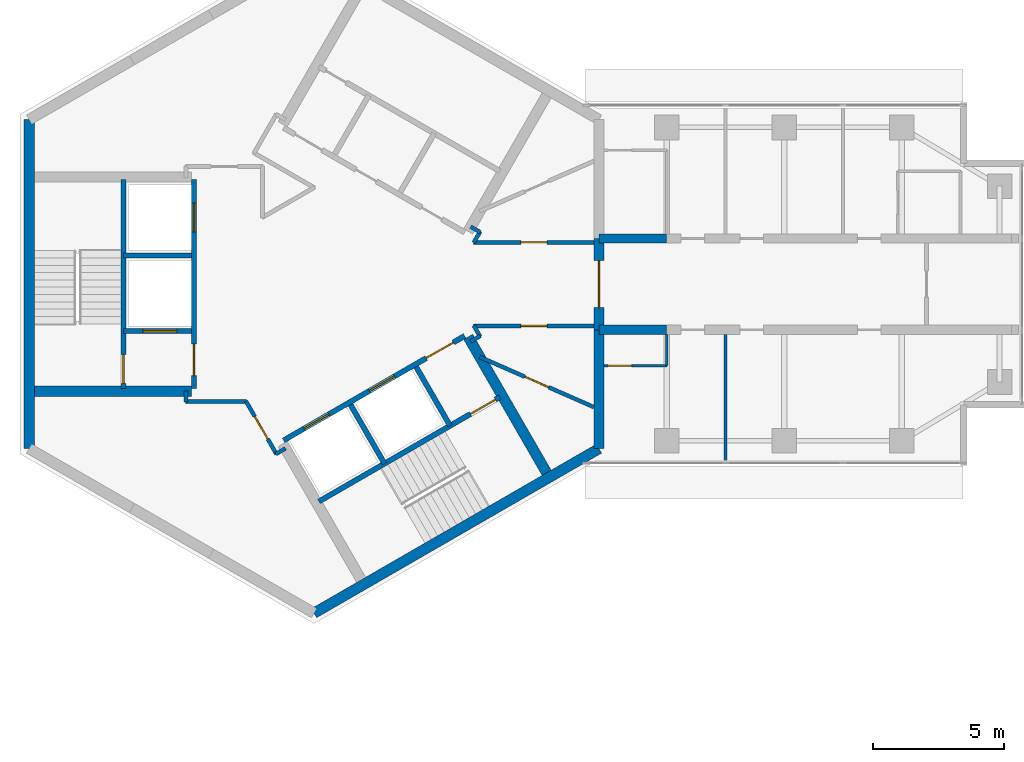
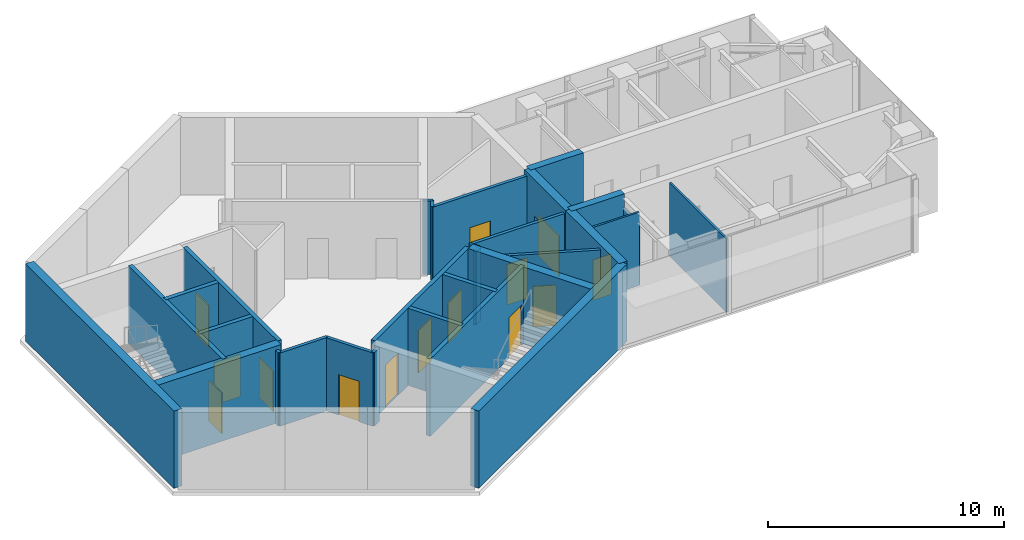
# One storey, part 5 of 11: 30 walls, 14 doors, 14 openings.
"""IFC4 building model written with IfcOpenShell, lengths in metres."""

from ifc_helpers import new_model, si_unit, direction, frame, frame_2d, origin, place, context, subcontext, project, spatial, rectangle, extrude, material, layer, layer_set, type_object, element, fill, save


model = new_model("IFC4")

# Units and contexts
model_context = context("Model", 3, precision=1e-05, world=origin(), true_north=direction((0.0, 1.0)))
body_context = subcontext(model_context, "Body", "Model", "MODEL_VIEW")
ifc_project = project(units=[si_unit("LENGTHUNIT", "METRE"), si_unit("AREAUNIT", "SQUARE_METRE"), si_unit("VOLUMEUNIT", "CUBIC_METRE"), si_unit("PLANEANGLEUNIT", "RADIAN"), si_unit("MASSUNIT", "GRAM", prefix="KILO")], contexts=[model_context])

# Site, building, storey
site_placement = place(None, origin())
site = spatial("IfcSite", under=ifc_project, at=site_placement, CompositionType="ELEMENT")
building_placement = place(site_placement, origin())
building = spatial("IfcBuilding", under=site, at=building_placement, Name="Upepo Twin Towers", CompositionType="ELEMENT")
storey_placement = place(building_placement, frame((0.0, 0.0, 275.5)))
storey = spatial("IfcBuildingStorey", under=building, at=storey_placement, Name="L67", CompositionType="ELEMENT", Elevation=275.5)

# Walls
ifc_material_1 = material(Name="Concrete C60/75", Category="concrete")
ifc_layer_1 = layer(ifc_material_1, 0.35009765625)
ifc_layer_set_1 = layer_set([ifc_layer_1], Name="Concrete C60/75")
wall_type_1 = type_object("IfcWallType", Name="Buttress wall 350 RC", PredefinedType="SHEAR", material=ifc_layer_set_1)
for number, where, z_axis, x_axis, name in (
    (1, (10.908447265625, 1.75, 0.0), (0.0, 0.0, 1.0), (1.0, 0.0, 0.0), "T1 wing A buttress wall L"),
    (2, (10.908447265625, -1.75, 0.0), (0.0, 0.0, 1.0), (1.0, 0.0, 0.0), "T1 wing A buttress wall R"),
):
    element("IfcWall", number, at=place(storey_placement, frame(where, z_axis=z_axis, x_axis=x_axis)), inside=storey, type_object=wall_type_1, Name=name, PredefinedType="SHEAR", context=body_context, shape_type="SweptSolid", body=[
        extrude(rectangle(XDim=2.591552734375, YDim=0.35009765625, at=frame_2d((1.2958984375, 0.0))), origin(), (0.0, 0.0, 1.0), 4.0),
    ])
ifc_material_2 = material(Name="Concrete C60/75", Category="concrete")
ifc_layer_2 = layer(ifc_material_2, 0.39990234375)
ifc_layer_set_2 = layer_set([ifc_layer_2], Name="Concrete C60/75")
wall_type_2 = type_object("IfcWallType", Name="Core wall 400 RC", PredefinedType="SHEAR", material=ifc_layer_set_2)
wall_1_placement = place(storey_placement, frame((10.908447265625, -6.2978515625, 0.0), z_axis=(0.0, 0.0, 1.0), x_axis=(0.0, 1.0, 0.0)))
element("IfcWall", 3, at=wall_1_placement, inside=storey, type_object=wall_type_2, Name="T1 core wall 000 R", PredefinedType="SHEAR", context=body_context, shape_type="SweptSolid", body=[
    extrude(rectangle(XDim=4.5478515625, YDim=0.39990234375, at=frame_2d((2.27392578125, 0.0))), origin(), (0.0, 0.0, 1.0), 4.0),
])

# Wall, opening, door
wall_2_placement = place(storey_placement, frame((10.908447265625, -1.75, 0.0), z_axis=(0.0, 0.0, 1.0), x_axis=(0.0, 1.0, 0.0)))
wall_2 = element("IfcWall", 4, at=wall_2_placement, inside=storey, type_object=wall_type_2, Name="T1 core wall 000", PredefinedType="SHEAR", context=body_context, shape_type="SweptSolid", body=[
    extrude(rectangle(XDim=3.5, YDim=0.39990234375, at=frame_2d((1.75, 0.0))), origin(), (0.0, 0.0, 1.0), 4.0),
])
opening_1_placement = place(wall_2_placement, frame((0.85009765625, 0.0, 0.0)))
opening_1 = element("IfcOpeningElement", 5, at=opening_1_placement, cuts=wall_2, Name="Opening D2", PredefinedType="OPENING", context=body_context, shape_type="SweptSolid", body=[
    extrude(rectangle(XDim=1.800048828125, YDim=2.10009765625, at=frame_2d((0.89990234375, 1.050048828125))), frame((0.0, 0.2099609375, 0.0), z_axis=(0.0, -1.0, 0.0), x_axis=(1.0, 0.0, 0.0)), (0.0, 0.0, 1.0), 0.419921875),
])
ifc_material_3 = material(Name="Timber doorset", Category="wood")
door_type_1 = type_object("IfcDoorType", Name="Corridor double door 1800 FD60", OperationType="DOUBLE_DOOR_DOUBLE_SWING", PredefinedType="DOOR", material=ifc_material_3)
door_1_placement = place(opening_1_placement, origin())
door_1 = element("IfcDoor", 6, at=door_1_placement, inside=storey, type_object=door_type_1, Name="T1 L67 wing A corridor door", OperationType="DOUBLE_DOOR_DOUBLE_SWING", OverallHeight=2.10009765625, OverallWidth=1.800048828125, PredefinedType="DOOR", context=body_context, shape_type="SweptSolid", body=[
    extrude(rectangle(XDim=1.800048828125, YDim=2.10009765625, at=frame_2d((0.89990234375, 1.050048828125))), frame((0.0, 0.02490234375, 0.0), z_axis=(0.0, -1.0, 0.0), x_axis=(1.0, 0.0, 0.0)), (0.0, 0.0, 1.0), 0.050048828125),
])
fill(opening_1, door_1)

# Walls
wall_3_placement = place(storey_placement, frame((-10.908447265625, 6.2978515625, 0.0), z_axis=(0.0, 0.0, 1.0), x_axis=(0.0, -1.0, 0.0)))
element("IfcWall", 7, at=wall_3_placement, inside=storey, type_object=wall_type_2, Name="T1 core wall 180", PredefinedType="SHEAR", context=body_context, shape_type="SweptSolid", body=[
    extrude(rectangle(XDim=12.595703125, YDim=0.39990234375, at=frame_2d((6.2978515625, 0.0))), origin(), (0.0, 0.0, 1.0), 4.0),
])
wall_4_placement = place(storey_placement, frame((0.0, -12.595947265625, 0.0), z_axis=(0.0, 0.0, 1.0), x_axis=(0.866021940709, 0.500005998175, 0.0)))
element("IfcWall", 8, at=wall_4_placement, inside=storey, type_object=wall_type_2, Name="T1 core wall 300", PredefinedType="SHEAR", context=body_context, shape_type="SweptSolid", body=[
    extrude(rectangle(XDim=12.595947265625, YDim=0.39990234375, at=frame_2d((6.2978515625, 0.0))), origin(), (0.0, 0.0, 1.0), 4.0),
])
ifc_material_4 = material(Name="Gypsum board on steel studs", Category="steel")
ifc_layer_3 = layer(ifc_material_4, 0.10009765625)
ifc_layer_set_3 = layer_set([ifc_layer_3], Name="Office partition 100 stud")
wall_type_3 = type_object("IfcWallType", Name="Office partition 100 stud", PredefinedType="PARTITIONING", material=ifc_layer_set_3)
wall_5_placement = place(storey_placement, frame((15.75, -1.925048828125, 0.0), z_axis=(0.0, 0.0, 1.0), x_axis=(0.0, -1.0, 0.0)))
element("IfcWall", 9, at=wall_5_placement, inside=storey, type_object=wall_type_3, Name="T1 partition AR at 15.75", PredefinedType="PARTITIONING", context=body_context, shape_type="SweptSolid", body=[
    extrude(rectangle(XDim=4.824951171875, YDim=0.10009765625, at=frame_2d((2.41259765625, 0.0))), origin(), (0.0, 0.0, 1.0), 3.800048828125),
])

# Wall, opening, door
wall_6_placement = place(storey_placement, frame((11.10791015625, -3.125, 0.0), z_axis=(0.0, 0.0, 1.0), x_axis=(1.0, 0.0, 0.0)))
wall_6 = element("IfcWall", 10, at=wall_6_placement, inside=storey, type_object=wall_type_3, Name="T1 WC bay partition AR at 11.11", PredefinedType="PARTITIONING", context=body_context, shape_type="SweptSolid", body=[
    extrude(rectangle(XDim=2.400146484375, YDim=0.10009765625, at=frame_2d((1.2001953125, 0.0))), origin(), (0.0, 0.0, 1.0), 3.800048828125),
])
opening_2_placement = place(wall_6_placement, frame((0.14990234375, 0.0, 0.0)))
opening_2 = element("IfcOpeningElement", 11, at=opening_2_placement, cuts=wall_6, Name="Opening D14", PredefinedType="OPENING", context=body_context, shape_type="SweptSolid", body=[
    extrude(rectangle(XDim=0.89990234375, YDim=2.10009765625, at=frame_2d((0.449951171875, 1.050048828125))), frame((0.0, 0.06005859375, 0.0), z_axis=(0.0, -1.0, 0.0), x_axis=(1.0, 0.0, 0.0)), (0.0, 0.0, 1.0), 0.1201171875),
])
ifc_material_5 = material(Name="Timber doorset", Category="wood")
door_type_2 = type_object("IfcDoorType", Name="Office door 900 FD30", OperationType="SINGLE_SWING_LEFT", PredefinedType="DOOR", material=ifc_material_5)
door_2_placement = place(opening_2_placement, origin())
door_2 = element("IfcDoor", 12, at=door_2_placement, inside=storey, type_object=door_type_2, Name="T1 L67 WC bay inner room door", OperationType="SINGLE_SWING_LEFT", OverallHeight=2.10009765625, OverallWidth=0.89990234375, PredefinedType="DOOR", context=body_context, shape_type="SweptSolid", body=[
    extrude(rectangle(XDim=0.89990234375, YDim=2.10009765625, at=frame_2d((0.449951171875, 1.050048828125))), frame((0.0, 0.02490234375, 0.0), z_axis=(0.0, -1.0, 0.0), x_axis=(1.0, 0.0, 0.0)), (0.0, 0.0, 1.0), 0.050048828125),
])
fill(opening_2, door_2)

# Wall
wall_7_placement = place(storey_placement, frame((13.508056640625, -1.925048828125, 0.0), z_axis=(0.0, 0.0, 1.0), x_axis=(0.0, -1.0, 0.0)))
element("IfcWall", 13, at=wall_7_placement, inside=storey, type_object=wall_type_3, Name="T1 WC bay partition AR end at 13.51", PredefinedType="PARTITIONING", context=body_context, shape_type="SweptSolid", body=[
    extrude(rectangle(XDim=1.199951171875, YDim=0.10009765625, at=frame_2d((0.60009765625, 0.0))), origin(), (0.0, 0.0, 1.0), 3.266845703125),
])

# Wall, openings, doors
ifc_material_6 = material(Name="Concrete C40/50", Category="concrete")
ifc_layer_4 = layer(ifc_material_6, 0.199951171875)
ifc_layer_set_4 = layer_set([ifc_layer_4], Name="Concrete C40/50")
wall_type_4 = type_object("IfcWallType", Name="Shaft wall 200 RC", PredefinedType="SHEAR", material=ifc_layer_set_4)
wall_8_placement = place(storey_placement, frame((-4.60009765625, 4.0, 0.0), z_axis=(0.0, 0.0, 1.0), x_axis=(0.0, -1.0, 0.0)))
wall_8 = element("IfcWall", 14, at=wall_8_placement, inside=storey, type_object=wall_type_4, Name="T1 core W180 front wall", PredefinedType="SHEAR", context=body_context, shape_type="SweptSolid", body=[
    extrude(rectangle(XDim=8.0, YDim=0.199951171875, at=frame_2d((4.0, 0.0))), origin(), (0.0, 0.0, 1.0), 4.0),
])
opening_3_placement = place(wall_8_placement, frame((6.300048828125, 0.0, 0.0)))
opening_3 = element("IfcOpeningElement", 15, at=opening_3_placement, cuts=wall_8, Name="Opening D4", PredefinedType="OPENING", context=body_context, shape_type="SweptSolid", body=[
    extrude(rectangle(XDim=1.199951171875, YDim=2.10009765625, at=frame_2d((0.60009765625, 1.050048828125))), frame((0.0, 0.10986328125, 0.0), z_axis=(0.0, -1.0, 0.0), x_axis=(1.0, 0.0, 0.0)), (0.0, 0.0, 1.0), 0.219970703125),
])
opening_4_placement = place(wall_8_placement, frame((0.89990234375, 0.0, 0.0)))
opening_4 = element("IfcOpeningElement", 16, at=opening_4_placement, cuts=wall_8, Name="Opening LD1", PredefinedType="OPENING", context=body_context, shape_type="SweptSolid", body=[
    extrude(rectangle(XDim=1.10009765625, YDim=2.199951171875, at=frame_2d((0.550048828125, 1.10009765625))), frame((0.0, 0.10986328125, 0.0), z_axis=(0.0, -1.0, 0.0), x_axis=(1.0, 0.0, 0.0)), (0.0, 0.0, 1.0), 0.219970703125),
])
ifc_material_7 = material(Name="Steel doorset", Category="steel")
door_type_3 = type_object("IfcDoorType", Name="Lift landing door 1100", OperationType="DOUBLE_DOOR_SLIDING", PredefinedType="DOOR", material=ifc_material_7)
door_3_placement = place(opening_4_placement, origin())
door_3 = element("IfcDoor", 17, at=door_3_placement, inside=storey, type_object=door_type_3, Name="T1 L67 lift SV1 landing door", OperationType="DOUBLE_DOOR_SLIDING", OverallHeight=2.199951171875, OverallWidth=1.10009765625, PredefinedType="DOOR", context=body_context, shape_type="SweptSolid", body=[
    extrude(rectangle(XDim=1.10009765625, YDim=2.199951171875, at=frame_2d((0.550048828125, 1.10009765625))), frame((0.0, 0.02490234375, 0.0), z_axis=(0.0, -1.0, 0.0), x_axis=(1.0, 0.0, 0.0)), (0.0, 0.0, 1.0), 0.050048828125),
])
fill(opening_4, door_3)
ifc_material_8 = material(Name="Timber doorset", Category="wood")
door_type_4 = type_object("IfcDoorType", Name="Lobby door 1200 FD60", OperationType="SINGLE_SWING_LEFT", PredefinedType="DOOR", material=ifc_material_8)
door_4_placement = place(opening_3_placement, origin())
door_4 = element("IfcDoor", 18, at=door_4_placement, inside=storey, type_object=door_type_4, Name="T1 L67 W180 lobby door", OperationType="SINGLE_SWING_RIGHT", OverallHeight=2.10009765625, OverallWidth=1.199951171875, PredefinedType="DOOR", context=body_context, shape_type="SweptSolid", body=[
    extrude(rectangle(XDim=1.199951171875, YDim=2.10009765625, at=frame_2d((0.60009765625, 1.050048828125))), frame((0.0, 0.02490234375, 0.0), z_axis=(0.0, -1.0, 0.0), x_axis=(1.0, 0.0, 0.0)), (0.0, 0.0, 1.0), 0.050048828125),
])
fill(opening_3, door_4)

# Wall
wall_9_placement = place(storey_placement, frame((-4.699951171875, 1.10009765625, 0.0), z_axis=(0.0, 0.0, 1.0), x_axis=(-1.0, 0.0, 0.0)))
element("IfcWall", 19, at=wall_9_placement, inside=storey, type_object=wall_type_4, Name="T1 core W180 shaft divider", PredefinedType="SHEAR", context=body_context, shape_type="SweptSolid", body=[
    extrude(rectangle(XDim=2.60009765625, YDim=0.199951171875, at=frame_2d((1.300048828125, 0.0))), origin(), (0.0, 0.0, 1.0), 4.0),
])

# Wall, opening, door
wall_10_placement = place(storey_placement, frame((-4.699951171875, -1.800048828125, 0.0), z_axis=(0.0, 0.0, 1.0), x_axis=(-1.0, 0.0, 0.0)))
wall_10 = element("IfcWall", 20, at=wall_10_placement, inside=storey, type_object=wall_type_4, Name="T1 core W180 lobby wall", PredefinedType="SHEAR", context=body_context, shape_type="SweptSolid", body=[
    extrude(rectangle(XDim=2.60009765625, YDim=0.199951171875, at=frame_2d((1.300048828125, 0.0))), origin(), (0.0, 0.0, 1.0), 4.0),
])
opening_5_placement = place(wall_10_placement, frame((0.550048828125, 0.0, 0.0)))
opening_5 = element("IfcOpeningElement", 21, at=opening_5_placement, cuts=wall_10, Name="Opening LD2", PredefinedType="OPENING", context=body_context, shape_type="SweptSolid", body=[
    extrude(rectangle(XDim=1.300048828125, YDim=2.199951171875, at=frame_2d((0.64990234375, 1.10009765625))), frame((0.0, 0.10986328125, 0.0), z_axis=(0.0, -1.0, 0.0), x_axis=(1.0, 0.0, 0.0)), (0.0, 0.0, 1.0), 0.219970703125),
])
ifc_material_9 = material(Name="Steel doorset", Category="steel")
door_type_5 = type_object("IfcDoorType", Name="Firefighting lift landing door 1300", OperationType="DOUBLE_DOOR_SLIDING", PredefinedType="DOOR", material=ifc_material_9)
door_5_placement = place(opening_5_placement, origin())
door_5 = element("IfcDoor", 22, at=door_5_placement, inside=storey, type_object=door_type_5, Name="T1 L67 firefighting lift landing door", OperationType="DOUBLE_DOOR_SLIDING", OverallHeight=2.199951171875, OverallWidth=1.300048828125, PredefinedType="DOOR", context=body_context, shape_type="SweptSolid", body=[
    extrude(rectangle(XDim=1.300048828125, YDim=2.199951171875, at=frame_2d((0.64990234375, 1.10009765625))), frame((0.0, 0.02490234375, 0.0), z_axis=(0.0, -1.0, 0.0), x_axis=(1.0, 0.0, 0.0)), (0.0, 0.0, 1.0), 0.050048828125),
])
fill(opening_5, door_5)

wall_11_placement = place(storey_placement, frame((-7.300048828125, 4.0, 0.0), z_axis=(0.0, 0.0, 1.0), x_axis=(0.0, -1.0, 0.0)))
wall_11 = element("IfcWall", 23, at=wall_11_placement, inside=storey, type_object=wall_type_4, Name="T1 core W180 stair wall", PredefinedType="SHEAR", context=body_context, shape_type="SweptSolid", body=[
    extrude(rectangle(XDim=8.0, YDim=0.199951171875, at=frame_2d((4.0, 0.0))), origin(), (0.0, 0.0, 1.0), 4.0),
])
opening_6_placement = place(wall_11_placement, frame((6.699951171875, 0.0, 0.0)))
opening_6 = element("IfcOpeningElement", 24, at=opening_6_placement, cuts=wall_11, Name="Opening D3", PredefinedType="OPENING", context=body_context, shape_type="SweptSolid", body=[
    extrude(rectangle(XDim=1.10009765625, YDim=2.10009765625, at=frame_2d((0.550048828125, 1.050048828125))), frame((0.0, 0.10986328125, 0.0), z_axis=(0.0, -1.0, 0.0), x_axis=(1.0, 0.0, 0.0)), (0.0, 0.0, 1.0), 0.219970703125),
])
ifc_material_10 = material(Name="Timber doorset", Category="wood")
door_type_6 = type_object("IfcDoorType", Name="Stair door 1100 FD60", OperationType="SINGLE_SWING_LEFT", PredefinedType="DOOR", material=ifc_material_10)
door_6_placement = place(opening_6_placement, origin())
door_6 = element("IfcDoor", 25, at=door_6_placement, inside=storey, type_object=door_type_6, Name="T1 L67 stair door", OperationType="SINGLE_SWING_RIGHT", OverallHeight=2.10009765625, OverallWidth=1.10009765625, PredefinedType="DOOR", context=body_context, shape_type="SweptSolid", body=[
    extrude(rectangle(XDim=1.10009765625, YDim=2.10009765625, at=frame_2d((0.550048828125, 1.050048828125))), frame((0.0, 0.02490234375, 0.0), z_axis=(0.0, -1.0, 0.0), x_axis=(1.0, 0.0, 0.0)), (0.0, 0.0, 1.0), 0.050048828125),
])
fill(opening_6, door_6)

# Wall, openings, doors
wall_12_placement = place(storey_placement, frame((-1.1640625, -5.983642578125, 0.0), z_axis=(0.0, 0.0, 1.0), x_axis=(0.866026010844, 0.49999894854, 0.0)))
wall_12 = element("IfcWall", 26, at=wall_12_placement, inside=storey, type_object=wall_type_4, Name="T1 core W300 front wall", PredefinedType="SHEAR", context=body_context, shape_type="SweptSolid", body=[
    extrude(rectangle(XDim=8.0, YDim=0.199951171875, at=frame_2d((4.0, 0.0))), origin(), (0.0, 0.0, 1.0), 4.0),
])
opening_7_placement = place(wall_12_placement, frame((6.300048828125, 0.0, 0.0)))
opening_7 = element("IfcOpeningElement", 27, at=opening_7_placement, cuts=wall_12, Name="Opening D4", PredefinedType="OPENING", context=body_context, shape_type="SweptSolid", body=[
    extrude(rectangle(XDim=1.199951171875, YDim=2.10009765625, at=frame_2d((0.60009765625, 1.050048828125))), frame((0.0, 0.10986328125, 0.0), z_axis=(0.0, -1.0, 0.0), x_axis=(1.0, 0.0, 0.0)), (0.0, 0.0, 1.0), 0.219970703125),
])
opening_8_placement = place(wall_12_placement, frame((0.89990234375, 0.0, 0.0)))
opening_8 = element("IfcOpeningElement", 28, at=opening_8_placement, cuts=wall_12, Name="Opening LD1", PredefinedType="OPENING", context=body_context, shape_type="SweptSolid", body=[
    extrude(rectangle(XDim=1.10009765625, YDim=2.199951171875, at=frame_2d((0.550048828125, 1.10009765625))), frame((0.0, 0.10986328125, 0.0), z_axis=(0.0, -1.0, 0.0), x_axis=(1.0, 0.0, 0.0)), (0.0, 0.0, 1.0), 0.219970703125),
])
opening_9_placement = place(wall_12_placement, frame((3.800048828125, 0.0, 0.0)))
opening_9 = element("IfcOpeningElement", 29, at=opening_9_placement, cuts=wall_12, Name="Opening LD1", PredefinedType="OPENING", context=body_context, shape_type="SweptSolid", body=[
    extrude(rectangle(XDim=1.10009765625, YDim=2.199951171875, at=frame_2d((0.550048828125, 1.10009765625))), frame((0.0, 0.10986328125, 0.0), z_axis=(0.0, -1.0, 0.0), x_axis=(1.0, 0.0, 0.0)), (0.0, 0.0, 1.0), 0.219970703125),
])
door_7_placement = place(opening_8_placement, origin())
door_7 = element("IfcDoor", 30, at=door_7_placement, inside=storey, type_object=door_type_3, Name="T1 L67 lift TL1 landing door", OperationType="DOUBLE_DOOR_SLIDING", OverallHeight=2.199951171875, OverallWidth=1.10009765625, PredefinedType="DOOR", context=body_context, shape_type="SweptSolid", body=[
    extrude(rectangle(XDim=1.10009765625, YDim=2.199951171875, at=frame_2d((0.550048828125, 1.10009765625))), frame((0.0, 0.02490234375, 0.0), z_axis=(0.0, -1.0, 0.0), x_axis=(1.0, 0.0, 0.0)), (0.0, 0.0, 1.0), 0.050048828125),
])
fill(opening_8, door_7)
door_8_placement = place(opening_9_placement, origin())
door_8 = element("IfcDoor", 31, at=door_8_placement, inside=storey, type_object=door_type_3, Name="T1 L67 lift TL2 landing door", OperationType="DOUBLE_DOOR_SLIDING", OverallHeight=2.199951171875, OverallWidth=1.10009765625, PredefinedType="DOOR", context=body_context, shape_type="SweptSolid", body=[
    extrude(rectangle(XDim=1.10009765625, YDim=2.199951171875, at=frame_2d((0.550048828125, 1.10009765625))), frame((0.0, 0.02490234375, 0.0), z_axis=(0.0, -1.0, 0.0), x_axis=(1.0, 0.0, 0.0)), (0.0, 0.0, 1.0), 0.050048828125),
])
fill(opening_9, door_8)
door_9_placement = place(opening_7_placement, origin())
door_9 = element("IfcDoor", 32, at=door_9_placement, inside=storey, type_object=door_type_4, Name="T1 L67 W300 lobby door", OperationType="SINGLE_SWING_RIGHT", OverallHeight=2.10009765625, OverallWidth=1.199951171875, PredefinedType="DOOR", context=body_context, shape_type="SweptSolid", body=[
    extrude(rectangle(XDim=1.199951171875, YDim=2.10009765625, at=frame_2d((0.60009765625, 1.050048828125))), frame((0.0, 0.02490234375, 0.0), z_axis=(0.0, -1.0, 0.0), x_axis=(1.0, 0.0, 0.0)), (0.0, 0.0, 1.0), 0.050048828125),
])
fill(opening_7, door_9)

# Walls
wall_13_placement = place(storey_placement, frame((1.3974609375, -4.620361328125, 0.0), z_axis=(0.0, 0.0, 1.0), x_axis=(0.499936506574, -0.866062058628, 0.0)))
element("IfcWall", 33, at=wall_13_placement, inside=storey, type_object=wall_type_4, Name="T1 core W300 shaft divider", PredefinedType="SHEAR", context=body_context, shape_type="SweptSolid", body=[
    extrude(rectangle(XDim=2.599853515625, YDim=0.199951171875, at=frame_2d((1.2998046875, 0.0))), origin(), (0.0, 0.0, 1.0), 4.0),
])
wall_14_placement = place(storey_placement, frame((3.908935546875, -3.17041015625, 0.0), z_axis=(0.0, 0.0, 1.0), x_axis=(0.49997716683, -0.86603858612, 0.0)))
element("IfcWall", 34, at=wall_14_placement, inside=storey, type_object=wall_type_4, Name="T1 core W300 lobby wall", PredefinedType="SHEAR", context=body_context, shape_type="SweptSolid", body=[
    extrude(rectangle(XDim=2.599609375, YDim=0.199951171875, at=frame_2d((1.2998046875, 0.0))), origin(), (0.0, 0.0, 1.0), 4.0),
])

# Wall, opening, door
wall_15_placement = place(storey_placement, frame((0.185791015625, -8.322021484375, 0.0), z_axis=(0.0, 0.0, 1.0), x_axis=(0.866026010844, 0.49999894854, 0.0)))
wall_15 = element("IfcWall", 35, at=wall_15_placement, inside=storey, type_object=wall_type_4, Name="T1 core W300 stair wall", PredefinedType="SHEAR", context=body_context, shape_type="SweptSolid", body=[
    extrude(rectangle(XDim=8.0, YDim=0.199951171875, at=frame_2d((4.0, 0.0))), origin(), (0.0, 0.0, 1.0), 4.0),
])
opening_10_placement = place(wall_15_placement, frame((6.699951171875, 0.0, 0.0)))
opening_10 = element("IfcOpeningElement", 36, at=opening_10_placement, cuts=wall_15, Name="Opening D3", PredefinedType="OPENING", context=body_context, shape_type="SweptSolid", body=[
    extrude(rectangle(XDim=1.10009765625, YDim=2.10009765625, at=frame_2d((0.550048828125, 1.050048828125))), frame((0.0, 0.10986328125, 0.0), z_axis=(0.0, -1.0, 0.0), x_axis=(1.0, 0.0, 0.0)), (0.0, 0.0, 1.0), 0.219970703125),
])
door_10_placement = place(opening_10_placement, origin())
door_10 = element("IfcDoor", 37, at=door_10_placement, inside=storey, type_object=door_type_6, Name="T1 L67 stair door", OperationType="SINGLE_SWING_RIGHT", OverallHeight=2.10009765625, OverallWidth=1.10009765625, PredefinedType="DOOR", context=body_context, shape_type="SweptSolid", body=[
    extrude(rectangle(XDim=1.10009765625, YDim=2.10009765625, at=frame_2d((0.550048828125, 1.050048828125))), frame((0.0, 0.02490234375, 0.0), z_axis=(0.0, -1.0, 0.0), x_axis=(1.0, 0.0, 0.0)), (0.0, 0.0, 1.0), 0.050048828125),
])
fill(opening_10, door_10)

# Walls
ifc_material_11 = material(Name="Concrete C40/50", Category="concrete")
ifc_layer_5 = layer(ifc_material_11, 0.39990234375)
ifc_layer_set_5 = layer_set([ifc_layer_5], Name="Concrete C40/50")
wall_type_5 = type_object("IfcWallType", Name="Shaft wall 400 RC", PredefinedType="SHEAR", material=ifc_layer_set_5)
for number, where, z_axis, x_axis, name in (
    (38, (-4.699951171875, -4.10009765625, 0.0), (0.0, 0.0, 1.0), (-1.0, 0.0, 0.0), "T1 core W180 side wall N"),
    (39, (5.900634765625, -2.020263671875, 0.0), (0.0, 0.0, 1.0), (0.499997979876, -0.866026570101, 0.0), "T1 core W300 side wall N"),
):
    element("IfcWall", number, at=place(storey_placement, frame(where, z_axis=z_axis, x_axis=x_axis)), inside=storey, type_object=wall_type_5, Name=name, PredefinedType="SHEAR", context=body_context, shape_type="SweptSolid", body=[
        extrude(rectangle(XDim=6.00830078125, YDim=0.39990234375, at=frame_2d((3.004150390625, 0.0))), origin(), (0.0, 0.0, 1.0), 4.0),
    ])
ifc_material_12 = material(Name="Gypsum board on steel studs", Category="steel")
ifc_layer_6 = layer(ifc_material_12, 0.14990234375)
ifc_layer_set_6 = layer_set([ifc_layer_6], Name="Teaching partition 150 acoustic")
wall_type_6 = type_object("IfcWallType", Name="Teaching partition 150 acoustic", PredefinedType="PARTITIONING", material=ifc_layer_set_6)
for number, where, z_axis, x_axis, name in (
    (40, (6.364501953125, -1.9833984375, 0.0), (0.0, 0.0, 1.0), (-0.865892400268, -0.500230298122, 0.0), "T1 core room partition 1"),
    (41, (-1.092041015625, -6.28857421875, 0.0), (0.0, 0.0, 1.0), (-0.866138304741, -0.499804398801, 0.0), "T1 core room partition 2"),
):
    element("IfcWall", number, at=place(storey_placement, frame(where, z_axis=z_axis, x_axis=x_axis)), inside=storey, type_object=wall_type_6, Name=name, PredefinedType="PARTITIONING", context=body_context, shape_type="SweptSolid", body=[
        extrude(rectangle(XDim=0.429931640625, YDim=0.14990234375, at=frame_2d((0.21484375, 0.0))), origin(), (0.0, 0.0, 1.0), 3.800048828125),
    ])

# Wall, opening, door
wall_16_placement = place(storey_placement, frame((-1.43701171875, -6.5107421875, 0.0), z_axis=(0.0, 0.0, 1.0), x_axis=(-0.500074377092, 0.865982457891, 0.0)))
wall_16 = element("IfcWall", 42, at=wall_16_placement, inside=storey, type_object=wall_type_6, Name="T1 core room partition 3", PredefinedType="PARTITIONING", context=body_context, shape_type="SweptSolid", body=[
    extrude(rectangle(XDim=2.342041015625, YDim=0.14990234375, at=frame_2d((1.1708984375, 0.0))), origin(), (0.0, 0.0, 1.0), 3.800048828125),
])
opening_11_placement = place(wall_16_placement, frame((0.6708984375, 0.0, 0.0)))
opening_11 = element("IfcOpeningElement", 43, at=opening_11_placement, cuts=wall_16, Name="Opening D1", PredefinedType="OPENING", context=body_context, shape_type="SweptSolid", body=[
    extrude(rectangle(XDim=1.0, YDim=2.10009765625, at=frame_2d((0.5, 1.050048828125))), frame((0.0, 0.0849609375, 0.0), z_axis=(0.0, -1.0, 0.0), x_axis=(1.0, 0.0, 0.0)), (0.0, 0.0, 1.0), 0.169921875),
])
ifc_material_13 = material(Name="Timber doorset", Category="wood")
door_type_7 = type_object("IfcDoorType", Name="Room door 1000 FD30", OperationType="SINGLE_SWING_LEFT", PredefinedType="DOOR", material=ifc_material_13)
door_11_placement = place(opening_11_placement, origin())
door_11 = element("IfcDoor", 44, at=door_11_placement, inside=storey, type_object=door_type_7, Name="T1 L67 core room door K1", OperationType="SINGLE_SWING_RIGHT", OverallHeight=2.10009765625, OverallWidth=1.0, PredefinedType="DOOR", context=body_context, shape_type="SweptSolid", body=[
    extrude(rectangle(XDim=1.0, YDim=2.10009765625, at=frame_2d((0.5, 1.050048828125))), frame((0.0, 0.02490234375, 0.0), z_axis=(0.0, -1.0, 0.0), x_axis=(1.0, 0.0, 0.0)), (0.0, 0.0, 1.0), 0.050048828125),
])
fill(opening_11, door_11)

# Walls
wall_17_placement = place(storey_placement, frame((-2.578125, -4.5, 0.0), z_axis=(0.0, 0.0, 1.0), x_axis=(-1.0, 0.0, 0.0)))
element("IfcWall", 45, at=wall_17_placement, inside=storey, type_object=wall_type_6, Name="T1 core room partition 4", PredefinedType="PARTITIONING", context=body_context, shape_type="SweptSolid", body=[
    extrude(rectangle(XDim=2.341796875, YDim=0.14990234375, at=frame_2d((1.1708984375, 0.0))), origin(), (0.0, 0.0, 1.0), 3.800048828125),
])
for number, where, z_axis, x_axis, name in (
    (46, (-4.89990234375, -4.52001953125, 0.0), (0.0, 0.0, 1.0), (0.0, 1.0, 0.0), "T1 core room partition 5"),
    (47, (5.9921875, 2.198486328125, 0.0), (0.0, 0.0, 1.0), (0.865892400268, -0.500230298122, 0.0), "T1 core room partition 13"),
):
    element("IfcWall", number, at=place(storey_placement, frame(where, z_axis=z_axis, x_axis=x_axis)), inside=storey, type_object=wall_type_6, Name=name, PredefinedType="PARTITIONING", context=body_context, shape_type="SweptSolid", body=[
        extrude(rectangle(XDim=0.429931640625, YDim=0.14990234375, at=frame_2d((0.21484375, 0.0))), origin(), (0.0, 0.0, 1.0), 3.800048828125),
    ])
wall_18_placement = place(storey_placement, frame((6.357177734375, 2.0107421875, 0.0), z_axis=(0.0, 0.0, 1.0), x_axis=(-0.50033519877, -0.865831790172, 0.0)))
element("IfcWall", 48, at=wall_18_placement, inside=storey, type_object=wall_type_6, Name="T1 core room partition 14", PredefinedType="PARTITIONING", context=body_context, shape_type="SweptSolid", body=[
    extrude(rectangle(XDim=0.494384765625, YDim=0.14990234375, at=frame_2d((0.2470703125, 0.0))), origin(), (0.0, 0.0, 1.0), 3.800048828125),
])

# Wall, opening, door
wall_19_placement = place(storey_placement, frame((6.099853515625, 1.60009765625, 0.0), z_axis=(0.0, 0.0, 1.0), x_axis=(1.0, 0.0, 0.0)))
wall_19 = element("IfcWall", 49, at=wall_19_placement, inside=storey, type_object=wall_type_6, Name="T1 core room partition 15", PredefinedType="PARTITIONING", context=body_context, shape_type="SweptSolid", body=[
    extrude(rectangle(XDim=4.618408203125, YDim=0.14990234375, at=frame_2d((2.30908203125, 0.0))), origin(), (0.0, 0.0, 1.0), 3.800048828125),
])
opening_12_placement = place(wall_19_placement, frame((1.8193359375, 0.0, 0.0)))
opening_12 = element("IfcOpeningElement", 50, at=opening_12_placement, cuts=wall_19, Name="Opening D1", PredefinedType="OPENING", context=body_context, shape_type="SweptSolid", body=[
    extrude(rectangle(XDim=1.0, YDim=2.10009765625, at=frame_2d((0.5, 1.050048828125))), frame((0.0, 0.0849609375, 0.0), z_axis=(0.0, -1.0, 0.0), x_axis=(1.0, 0.0, 0.0)), (0.0, 0.0, 1.0), 0.169921875),
])
door_12_placement = place(opening_12_placement, origin())
door_12 = element("IfcDoor", 51, at=door_12_placement, inside=storey, type_object=door_type_7, Name="T1 L67 core room door K4", OperationType="SINGLE_SWING_RIGHT", OverallHeight=2.10009765625, OverallWidth=1.0, PredefinedType="DOOR", context=body_context, shape_type="SweptSolid", body=[
    extrude(rectangle(XDim=1.0, YDim=2.10009765625, at=frame_2d((0.5, 1.050048828125))), frame((0.0, 0.02490234375, 0.0), z_axis=(0.0, -1.0, 0.0), x_axis=(1.0, 0.0, 0.0)), (0.0, 0.0, 1.0), 0.050048828125),
])
fill(opening_12, door_12)

wall_20_placement = place(storey_placement, frame((10.71826171875, -1.60009765625, 0.0), z_axis=(0.0, 0.0, 1.0), x_axis=(-1.0, 0.0, 0.0)))
wall_20 = element("IfcWall", 52, at=wall_20_placement, inside=storey, type_object=wall_type_6, Name="T1 core room partition 16", PredefinedType="PARTITIONING", context=body_context, shape_type="SweptSolid", body=[
    extrude(rectangle(XDim=4.618408203125, YDim=0.14990234375, at=frame_2d((2.30908203125, 0.0))), origin(), (0.0, 0.0, 1.0), 3.800048828125),
])
opening_13_placement = place(wall_20_placement, frame((1.799072265625, 0.0, 0.0)))
opening_13 = element("IfcOpeningElement", 53, at=opening_13_placement, cuts=wall_20, Name="Opening D1", PredefinedType="OPENING", context=body_context, shape_type="SweptSolid", body=[
    extrude(rectangle(XDim=1.0, YDim=2.10009765625, at=frame_2d((0.5, 1.050048828125))), frame((0.0, 0.0849609375, 0.0), z_axis=(0.0, -1.0, 0.0), x_axis=(1.0, 0.0, 0.0)), (0.0, 0.0, 1.0), 0.169921875),
])
door_13_placement = place(opening_13_placement, origin())
door_13 = element("IfcDoor", 54, at=door_13_placement, inside=storey, type_object=door_type_7, Name="T1 L67 core room door K2", OperationType="SINGLE_SWING_LEFT", OverallHeight=2.10009765625, OverallWidth=1.0, PredefinedType="DOOR", context=body_context, shape_type="SweptSolid", body=[
    extrude(rectangle(XDim=1.0, YDim=2.10009765625, at=frame_2d((0.5, 1.050048828125))), frame((0.0, 0.02490234375, 0.0), z_axis=(0.0, -1.0, 0.0), x_axis=(1.0, 0.0, 0.0)), (0.0, 0.0, 1.0), 0.050048828125),
])
fill(opening_13, door_13)

# Wall
wall_21_placement = place(storey_placement, frame((6.10986328125, -1.582763671875, 0.0), z_axis=(0.0, 0.0, 1.0), x_axis=(0.50033519877, -0.865831790172, 0.0)))
element("IfcWall", 55, at=wall_21_placement, inside=storey, type_object=wall_type_6, Name="T1 core room partition 17", PredefinedType="PARTITIONING", context=body_context, shape_type="SweptSolid", body=[
    extrude(rectangle(XDim=0.494384765625, YDim=0.14990234375, at=frame_2d((0.2470703125, 0.0))), origin(), (0.0, 0.0, 1.0), 3.800048828125),
])

# Wall, opening, door
wall_22_placement = place(storey_placement, frame((6.344482421875, -2.7890625, 0.0), z_axis=(0.0, 0.0, 1.0), x_axis=(0.915438841787, -0.402457111937, 0.0)))
wall_22 = element("IfcWall", 56, at=wall_22_placement, inside=storey, type_object=wall_type_6, Name="T1 core room partition 18", PredefinedType="PARTITIONING", context=body_context, shape_type="SweptSolid", body=[
    extrude(rectangle(XDim=4.766845703125, YDim=0.14990234375, at=frame_2d((2.38330078125, 0.0))), origin(), (0.0, 0.0, 1.0), 3.800048828125),
])
opening_14_placement = place(wall_22_placement, frame((1.88330078125, 0.0, 0.0)))
opening_14 = element("IfcOpeningElement", 57, at=opening_14_placement, cuts=wall_22, Name="Opening D1", PredefinedType="OPENING", context=body_context, shape_type="SweptSolid", body=[
    extrude(rectangle(XDim=1.0, YDim=2.10009765625, at=frame_2d((0.5, 1.050048828125))), frame((0.0, 0.0849609375, 0.0), z_axis=(0.0, -1.0, 0.0), x_axis=(1.0, 0.0, 0.0)), (0.0, 0.0, 1.0), 0.169921875),
])
door_14_placement = place(opening_14_placement, origin())
door_14 = element("IfcDoor", 58, at=door_14_placement, inside=storey, type_object=door_type_7, Name="T1 L67 core room door K3", OperationType="SINGLE_SWING_LEFT", OverallHeight=2.10009765625, OverallWidth=1.0, PredefinedType="DOOR", context=body_context, shape_type="SweptSolid", body=[
    extrude(rectangle(XDim=1.0, YDim=2.10009765625, at=frame_2d((0.5, 1.050048828125))), frame((0.0, 0.02490234375, 0.0), z_axis=(0.0, -1.0, 0.0), x_axis=(1.0, 0.0, 0.0)), (0.0, 0.0, 1.0), 0.050048828125),
])
fill(opening_14, door_14)

save(model, "model.ifc")
